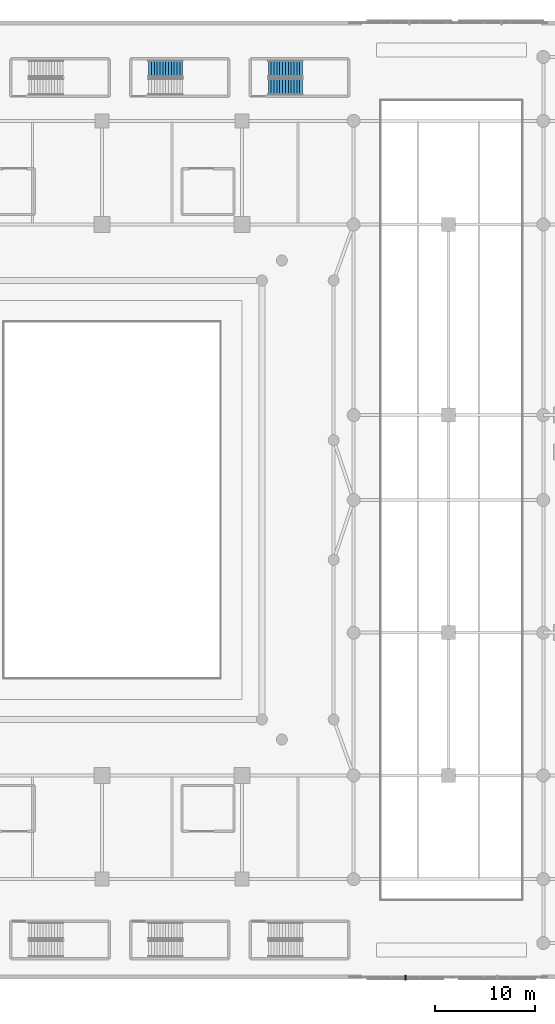
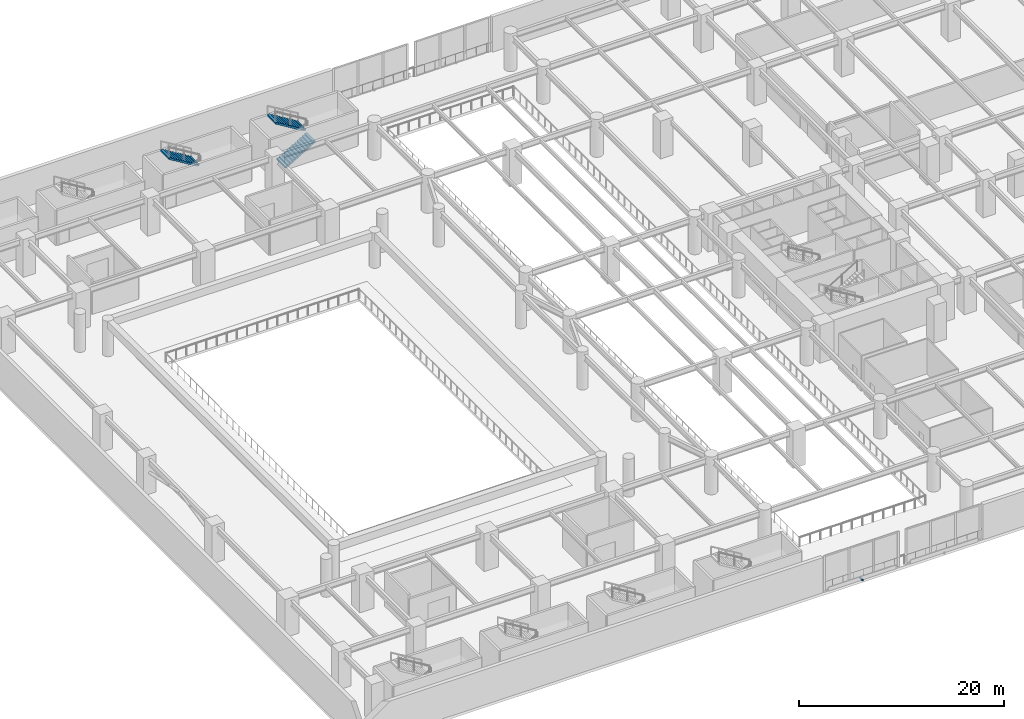
# One storey, part 18 of 32: 3 stair flights, 1 discrete accessory, 2 elements without a shape of their own.
"""IFC4 building model written with IfcOpenShell, lengths in metres."""

from ifc_helpers import new_model, si_unit, direction, frame, origin, origin_2d, place, context, subcontext, project, spatial, polyline, rectangle, outline, extrude, material, type_object, element, aggregate, save


model = new_model("IFC4")

# Units and contexts
model_context = context("Model", 3, precision=1e-05, world=origin(), true_north=direction((0.0, 1.0)))
body_context = subcontext(model_context, "Body", "Model", "MODEL_VIEW")
ifc_project = project(units=[si_unit("LENGTHUNIT", "METRE"), si_unit("AREAUNIT", "SQUARE_METRE"), si_unit("VOLUMEUNIT", "CUBIC_METRE"), si_unit("PLANEANGLEUNIT", "RADIAN"), si_unit("MASSUNIT", "GRAM", prefix="KILO")], contexts=[model_context])

# Site, building, storey
site_placement = place(None, origin())
site = spatial("IfcSite", under=ifc_project, at=site_placement, CompositionType="ELEMENT")
building_placement = place(site_placement, origin())
building = spatial("IfcBuilding", under=site, at=building_placement, Name="Narakoshi Arena Tower", CompositionType="ELEMENT")
storey_placement = place(building_placement, frame((0.0, 0.0, 4.5)))
storey = spatial("IfcBuildingStorey", under=building, at=storey_placement, Name="L01", CompositionType="ELEMENT", Elevation=4.5)

# Stair, stair flight
ifc_material_1 = material(Name="Concrete C45/55", Category="concrete")
stair_type = type_object("IfcStairType", Name="STR-ARN-2400", PredefinedType="TWO_STRAIGHT_RUN_STAIR", material=ifc_material_1)
stair_1_placement = place(storey_placement, origin())
stair_1 = element("IfcStair", 1, at=stair_1_placement, inside=storey, type_object=stair_type, Name="L01 Arena Crowd Escape Stair AST7", PredefinedType="TWO_STRAIGHT_RUN_STAIR")
ifc_material_2 = material(Name="Precast concrete C45/55", Category="concrete")
stair_flight_type = type_object("IfcStairFlightType", Name="FLT-240-150", PredefinedType="STRAIGHT", material=ifc_material_2)
stair_flight_1_placement = place(storey_placement, frame((34.070068359375, 91.22509765625, 2.25), z_axis=(0.0, 0.0, 1.0), x_axis=(-1.0, 0.0, 0.0)))
stair_flight_1 = element("IfcStairFlight", 2, at=stair_flight_1_placement, type_object=stair_flight_type, Name="AST7 flight 2", NumberOfRisers=13, NumberOfTreads=12, PredefinedType="STRAIGHT", RiserHeight=0.173076923, TreadLength=0.285, context=body_context, shape_type="SweptSolid", body=[
    extrude(outline(polyline([(0.0, 0.0), (0.0, 0.173095703125), (0.284912109375, 0.173095703125), (0.284912109375, 0.34619140625), (0.570068359375, 0.34619140625), (0.570068359375, 0.519287109375), (0.85498046875, 0.519287109375), (0.85498046875, 0.6923828125), (1.139892578125, 0.6923828125), (1.139892578125, 0.865478515625), (1.425048828125, 0.865478515625), (1.425048828125, 1.03857421875), (1.7099609375, 1.03857421875), (1.7099609375, 1.21142578125), (1.9951171875, 1.21142578125), (1.9951171875, 1.384521484375), (2.280029296875, 1.384521484375), (2.280029296875, 1.5576171875), (2.56494140625, 1.5576171875), (2.56494140625, 1.730712890625), (2.85009765625, 1.730712890625), (2.85009765625, 1.90380859375), (3.135009765625, 1.90380859375), (3.135009765625, 2.076904296875), (3.419921875, 2.076904296875), (3.419921875, 2.25), (3.419921875, 1.901611328125), (0.288818359375, 0.0), (0.0, 0.0)])), frame((0.0, 0.824951171875, 0.0), z_axis=(0.0, -1.0, 0.0), x_axis=(1.0, 0.0, 0.0)), (0.0, 0.0, 1.0), 1.64990234375),
])
aggregate(stair_1, [stair_flight_1])

# Stair, stair flights
stair_2_placement = place(storey_placement, origin())
stair_2 = element("IfcStair", 3, at=stair_2_placement, inside=storey, type_object=stair_type, Name="L01 Arena Crowd Escape Stair AST8", PredefinedType="TWO_STRAIGHT_RUN_STAIR")
stair_flight_2_placement = place(storey_placement, frame((42.64990234375, 89.425048828125, 0.0), z_axis=(0.0, 0.0, 1.0), x_axis=(1.0, 0.0, 0.0)))
stair_flight_2 = element("IfcStairFlight", 4, at=stair_flight_2_placement, type_object=stair_flight_type, Name="AST8 flight 1", NumberOfRisers=13, NumberOfTreads=12, PredefinedType="STRAIGHT", RiserHeight=0.173076923, TreadLength=0.285, context=body_context, shape_type="SweptSolid", body=[
    extrude(outline(polyline([(0.0, 0.0), (0.0, 0.173095703125), (0.284912109375, 0.173095703125), (0.284912109375, 0.34619140625), (0.570068359375, 0.34619140625), (0.570068359375, 0.519287109375), (0.85498046875, 0.519287109375), (0.85498046875, 0.6923828125), (1.139892578125, 0.6923828125), (1.139892578125, 0.865478515625), (1.425048828125, 0.865478515625), (1.425048828125, 1.03857421875), (1.7099609375, 1.03857421875), (1.7099609375, 1.21142578125), (1.9951171875, 1.21142578125), (1.9951171875, 1.384521484375), (2.280029296875, 1.384521484375), (2.280029296875, 1.5576171875), (2.56494140625, 1.5576171875), (2.56494140625, 1.730712890625), (2.85009765625, 1.730712890625), (2.85009765625, 1.90380859375), (3.135009765625, 1.90380859375), (3.135009765625, 2.076904296875), (3.419921875, 2.076904296875), (3.419921875, 2.25), (3.419921875, 1.901611328125), (0.288818359375, 0.0), (0.0, 0.0)])), frame((0.0, 0.824951171875, 0.0), z_axis=(0.0, -1.0, 0.0), x_axis=(1.0, 0.0, 0.0)), (0.0, 0.0, 1.0), 1.64990234375),
])
stair_flight_3_placement = place(storey_placement, frame((46.070068359375, 91.22509765625, 2.25), z_axis=(0.0, 0.0, 1.0), x_axis=(-1.0, 0.0, 0.0)))
stair_flight_3 = element("IfcStairFlight", 5, at=stair_flight_3_placement, type_object=stair_flight_type, Name="AST8 flight 2", NumberOfRisers=13, NumberOfTreads=12, PredefinedType="STRAIGHT", RiserHeight=0.173076923, TreadLength=0.285, context=body_context, shape_type="SweptSolid", body=[
    extrude(outline(polyline([(0.0, 0.0), (0.0, 0.173095703125), (0.284912109375, 0.173095703125), (0.284912109375, 0.34619140625), (0.570068359375, 0.34619140625), (0.570068359375, 0.519287109375), (0.85498046875, 0.519287109375), (0.85498046875, 0.6923828125), (1.139892578125, 0.6923828125), (1.139892578125, 0.865478515625), (1.425048828125, 0.865478515625), (1.425048828125, 1.03857421875), (1.7099609375, 1.03857421875), (1.7099609375, 1.21142578125), (1.9951171875, 1.21142578125), (1.9951171875, 1.384521484375), (2.280029296875, 1.384521484375), (2.280029296875, 1.5576171875), (2.56494140625, 1.5576171875), (2.56494140625, 1.730712890625), (2.85009765625, 1.730712890625), (2.85009765625, 1.90380859375), (3.135009765625, 1.90380859375), (3.135009765625, 2.076904296875), (3.419921875, 2.076904296875), (3.419921875, 2.25), (3.419921875, 1.901611328125), (0.288818359375, 0.0), (0.0, 0.0)])), frame((0.0, 0.824951171875, 0.0), z_axis=(0.0, -1.0, 0.0), x_axis=(1.0, 0.0, 0.0)), (0.0, 0.0, 1.0), 1.64990234375),
])
aggregate(stair_2, [stair_flight_2, stair_flight_3])

# Discrete accessory
ifc_material_3 = material(Name="Structural steel S355J2", Category="steel")
discrete_accessory_type = type_object("IfcDiscreteAccessoryType", Name="ACC-BRK-SCR", PredefinedType="BRACKET", material=ifc_material_3)
discrete_accessory_placement = place(storey_placement, frame((56.39990234375, 0.1298828125, -0.080078125), z_axis=(0.0, 0.0, 1.0), x_axis=(1.0, 0.0, 0.0)))
element("IfcDiscreteAccessory", 6, at=discrete_accessory_placement, inside=storey, type_object=discrete_accessory_type, Name="L01 Solar Screen Support Bracket SHD-L01-SUN-CS1", PredefinedType="BRACKET", context=body_context, shape_type="SweptSolid", body=[
    extrude(rectangle(XDim=0.159912109375, YDim=0.4599609375, at=origin_2d()), origin(), (0.0, 0.0, 1.0), 0.199951171875),
])

save(model, "model.ifc")
